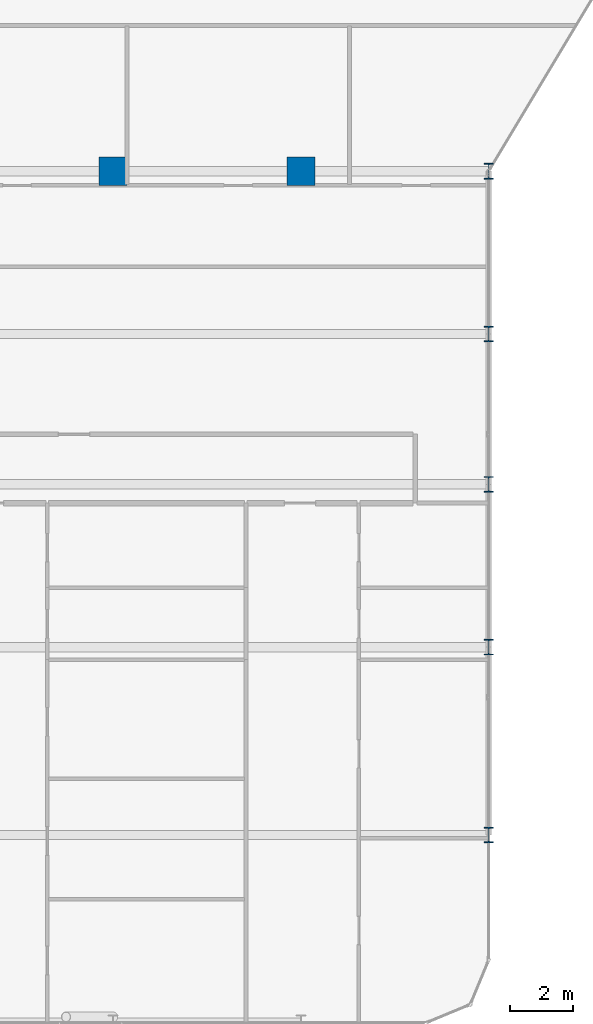
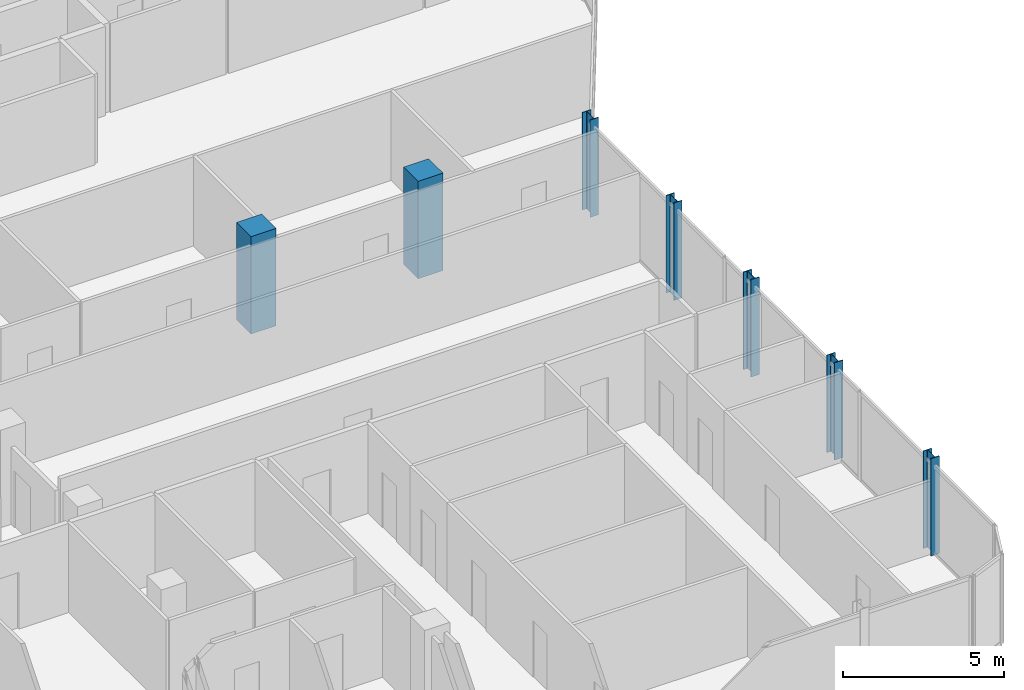
# One storey, part 2 of 31: 7 columns.
"""IFC4 building model written with IfcOpenShell, lengths in metres."""

from ifc_helpers import new_model, si_unit, direction, frame, origin, origin_2d, place, context, subcontext, project, spatial, rectangle, i_section, extrude, material, material_profile, profile_set, type_object, element, save


model = new_model("IFC4")

# Units and contexts
model_context = context("Model", 3, precision=1e-05, world=origin(), true_north=direction((0.0, 1.0)))
body_context = subcontext(model_context, "Body", "Model", "MODEL_VIEW")
ifc_project = project(units=[si_unit("LENGTHUNIT", "METRE"), si_unit("AREAUNIT", "SQUARE_METRE"), si_unit("VOLUMEUNIT", "CUBIC_METRE"), si_unit("PLANEANGLEUNIT", "RADIAN"), si_unit("MASSUNIT", "GRAM", prefix="KILO")], contexts=[model_context])

# Site, building, storey
site_placement = place(None, origin())
site = spatial("IfcSite", under=ifc_project, at=site_placement, CompositionType="ELEMENT")
building_placement = place(site_placement, origin())
building = spatial("IfcBuilding", under=site, at=building_placement, Name="Keshet Zoharim Tower", CompositionType="ELEMENT")
storey_placement = place(building_placement, frame((0.0, 0.0, 129.800048828125)))
storey = spatial("IfcBuildingStorey", under=building, at=storey_placement, Name="L31", CompositionType="ELEMENT", Elevation=129.800048828125)

# Columns
ifc_material_1 = material(Name="Steel S355", Category="steel")
ifc_material_profile_1 = material_profile(ifc_material_1, i_section(OverallWidth=0.300048828125, OverallDepth=0.5, WebThickness=0.014404296875, FlangeThickness=0.028076171875, FilletRadius=0.027099609375, at=origin_2d()), Name="HEB500")
ifc_profile_set_1 = profile_set([ifc_material_profile_1], Name="Steel S355")
column_type_1 = type_object("IfcColumnType", Name="COL-HEB500", PredefinedType="COLUMN", material=ifc_profile_set_1)
for number, where, z_axis, x_axis, name in (
    (1, (57.0, 6.699951171875, 0.0), (0.0, 0.0, 1.0), (1.0, 0.0, 0.0), "L31 Column 10B"),
    (2, (57.0, 12.699951171875, 0.0), (0.0, 0.0, 1.0), (1.0, 0.0, 0.0), "L31 Column 10C"),
    (3, (57.0, 17.89990234375, 0.0), (0.0, 0.0, 1.0), (1.0, 0.0, 0.0), "L31 Column 10D"),
    (4, (57.0, 22.699951171875, 0.0), (0.0, 0.0, 1.0), (1.0, 0.0, 0.0), "L31 Column 10E"),
    (5, (57.0, 27.89990234375, 0.0), (0.0, 0.0, 1.0), (1.0, 0.0, 0.0), "L31 Column 10F"),
):
    element("IfcColumn", number, at=place(storey_placement, frame(where, z_axis=z_axis, x_axis=x_axis)), inside=storey, type_object=column_type_1, Name=name, PredefinedType="COLUMN", context=body_context, shape_type="SweptSolid", body=[
        extrude(i_section(OverallWidth=0.300048828125, OverallDepth=0.5, WebThickness=0.014404296875, FlangeThickness=0.028076171875, FilletRadius=0.027099609375, at=origin_2d()), origin(), (0.0, 0.0, 1.0), 3.699951171875),
    ])
ifc_material_2 = material(Name="Concrete C60/75", Category="concrete")
ifc_material_profile_2 = material_profile(ifc_material_2, rectangle(XDim=0.89990234375, YDim=0.89990234375, at=origin_2d()), Name="RC900x900")
ifc_profile_set_2 = profile_set([ifc_material_profile_2], Name="Concrete C60/75")
column_type_2 = type_object("IfcColumnType", Name="COL-RC900", PredefinedType="COLUMN", material=ifc_profile_set_2)
for number, where, z_axis, x_axis, name in (
    (6, (45.0, 27.89990234375, 0.0), (0.0, 0.0, 1.0), (1.0, 0.0, 0.0), "L31 Column 8F"),
    (7, (51.0, 27.89990234375, 0.0), (0.0, 0.0, 1.0), (1.0, 0.0, 0.0), "L31 Column 9F"),
):
    element("IfcColumn", number, at=place(storey_placement, frame(where, z_axis=z_axis, x_axis=x_axis)), inside=storey, type_object=column_type_2, Name=name, PredefinedType="COLUMN", context=body_context, shape_type="SweptSolid", body=[
        extrude(rectangle(XDim=0.89990234375, YDim=0.89990234375, at=origin_2d()), origin(), (0.0, 0.0, 1.0), 3.699951171875),
    ])

save(model, "model.ifc")
